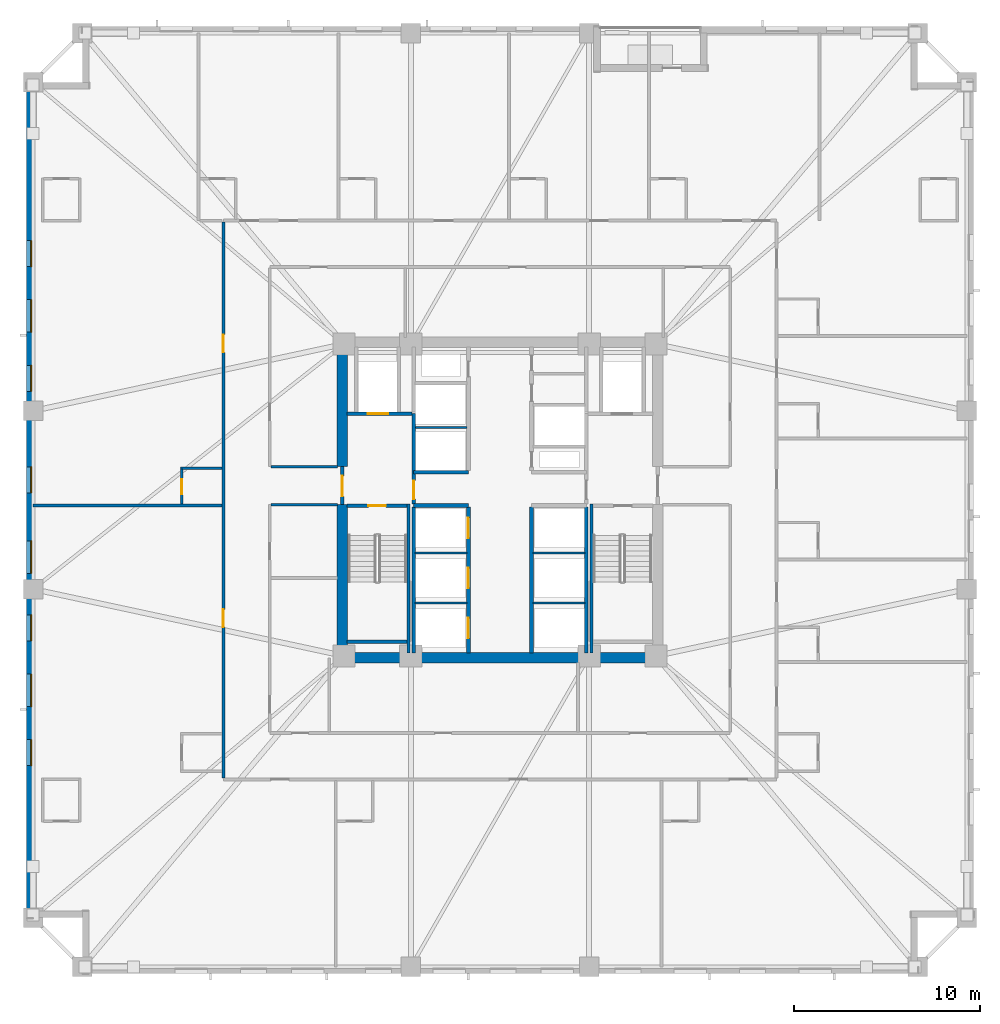
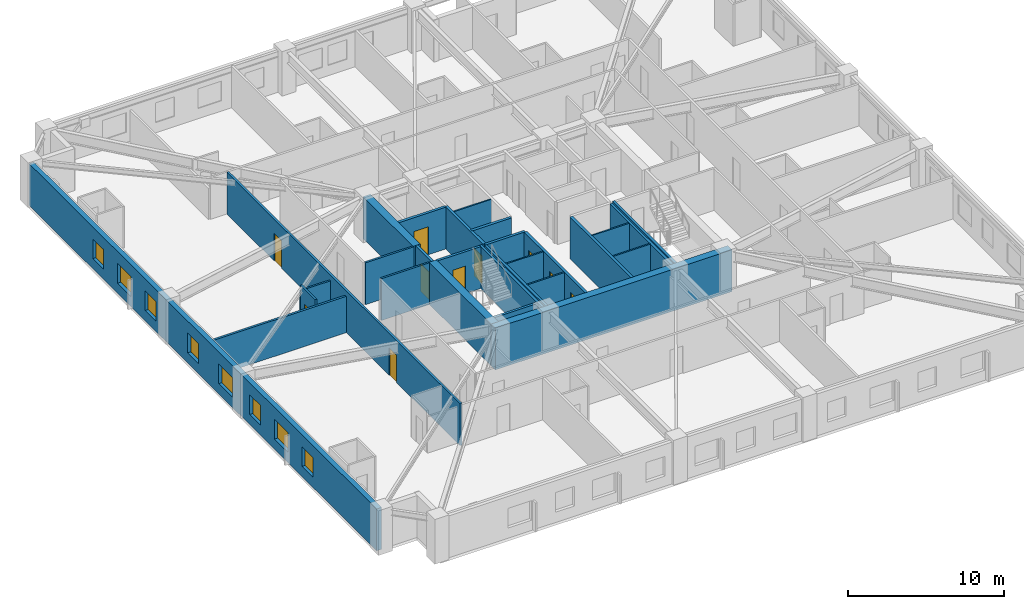
# One storey, part 3 of 11: 28 walls, 10 doors, 8 windows, 18 openings.
"""IFC4 building model written with IfcOpenShell, lengths in metres."""

from ifc_helpers import new_model, si_unit, direction, frame, frame_2d, origin, place, context, subcontext, project, spatial, rectangle, extrude, material, layer, layer_set, type_object, element, fill, save


model = new_model("IFC4")

# Units and contexts
model_context = context("Model", 3, precision=1e-05, world=origin(), true_north=direction((0.0, 1.0)))
body_context = subcontext(model_context, "Body", "Model", "MODEL_VIEW")
ifc_project = project(units=[si_unit("LENGTHUNIT", "METRE"), si_unit("AREAUNIT", "SQUARE_METRE"), si_unit("VOLUMEUNIT", "CUBIC_METRE"), si_unit("PLANEANGLEUNIT", "RADIAN"), si_unit("MASSUNIT", "GRAM", prefix="KILO")], contexts=[model_context])

# Site, building, storey
site_placement = place(None, origin())
site = spatial("IfcSite", under=ifc_project, at=site_placement, CompositionType="ELEMENT")
building_placement = place(site_placement, origin())
building = spatial("IfcBuilding", under=site, at=building_placement, Name="Cairnveth Concourse Tower", CompositionType="ELEMENT")
storey_placement = place(building_placement, frame((0.0, 0.0, 86.5)))
storey = spatial("IfcBuildingStorey", under=building, at=storey_placement, Name="L23", CompositionType="ELEMENT", Elevation=86.5)

# Wall, openings, doors
ifc_material_1 = material(Name="Gypsum Plasterboard Partition", Category="gypsum")
ifc_layer_1 = layer(ifc_material_1, 0.159912109375)
ifc_layer_set_1 = layer_set([ifc_layer_1], Name="Gypsum Plasterboard Partition")
wall_type_1 = type_object("IfcWallType", Name="ACOUSTIC PARTY WALL 180", PredefinedType="PARTITIONING", material=ifc_layer_set_1)
wall_1_placement = place(storey_placement, frame((37.10009765625, 24.014892578125, 0.0), z_axis=(0.0, 0.0, 1.0), x_axis=(0.0, 1.0, 0.0)))
wall_1 = element("IfcWall", 1, at=wall_1_placement, inside=storey, type_object=wall_type_1, Name="Interior Wall IW-L23-040", PredefinedType="PARTITIONING", context=body_context, shape_type="SweptSolid", body=[
    extrude(rectangle(XDim=29.97021484375, YDim=0.159912109375, at=frame_2d((14.985107421875, 0.0))), origin(), (0.0, 0.0, 1.0), 3.280029296875),
])
opening_1_placement = place(wall_1_placement, frame((8.1337890625, 0.0, 0.0)))
opening_1 = element("IfcOpeningElement", 2, at=opening_1_placement, cuts=wall_1, Name="Opening ID09", PredefinedType="OPENING", context=body_context, shape_type="SweptSolid", body=[
    extrude(rectangle(XDim=0.9599609375, YDim=2.14990234375, at=frame_2d((0.47998046875, 1.074951171875))), frame((0.0, 0.08984375, 0.0), z_axis=(0.0, -1.0, 0.0), x_axis=(1.0, 0.0, 0.0)), (0.0, 0.0, 1.0), 0.179931640625),
])
opening_2_placement = place(wall_1_placement, frame((22.933837890625, 0.0, 0.0)))
opening_2 = element("IfcOpeningElement", 3, at=opening_2_placement, cuts=wall_1, Name="Opening ID09", PredefinedType="OPENING", context=body_context, shape_type="SweptSolid", body=[
    extrude(rectangle(XDim=0.9599609375, YDim=2.14990234375, at=frame_2d((0.47998046875, 1.074951171875))), frame((0.0, 0.08984375, 0.0), z_axis=(0.0, -1.0, 0.0), x_axis=(1.0, 0.0, 0.0)), (0.0, 0.0, 1.0), 0.179931640625),
])
ifc_material_2 = material(Name="Solid Core Hardwood Timber Leaf", Category="wood")
door_type_1 = type_object("IfcDoorType", Name="HOTEL ENTRANCE DOOR 960X2150", OperationType="NOTDEFINED", PredefinedType="DOOR", material=ifc_material_2)
door_1_placement = place(opening_1_placement, origin())
door_1 = element("IfcDoor", 4, at=door_1_placement, inside=storey, type_object=door_type_1, Name="Hotel Room Door L23-W1", OperationType="SINGLE_SWING_RIGHT", OverallHeight=2.14990234375, OverallWidth=0.9599609375, PredefinedType="DOOR", context=body_context, shape_type="SweptSolid", body=[
    extrude(rectangle(XDim=0.9599609375, YDim=2.14990234375, at=frame_2d((0.47998046875, 1.074951171875))), frame((0.0, 0.02490234375, 0.0), z_axis=(0.0, -1.0, 0.0), x_axis=(1.0, 0.0, 0.0)), (0.0, 0.0, 1.0), 0.050048828125),
])
fill(opening_1, door_1)
door_2_placement = place(opening_2_placement, origin())
door_2 = element("IfcDoor", 5, at=door_2_placement, inside=storey, type_object=door_type_1, Name="Hotel Room Door L23-W2", OperationType="SINGLE_SWING_RIGHT", OverallHeight=2.14990234375, OverallWidth=0.9599609375, PredefinedType="DOOR", context=body_context, shape_type="SweptSolid", body=[
    extrude(rectangle(XDim=0.9599609375, YDim=2.14990234375, at=frame_2d((0.47998046875, 1.074951171875))), frame((0.0, 0.02490234375, 0.0), z_axis=(0.0, -1.0, 0.0), x_axis=(1.0, 0.0, 0.0)), (0.0, 0.0, 1.0), 0.050048828125),
])
fill(opening_2, door_2)

# Walls
wall_2_placement = place(storey_placement, frame((26.844970703125, 38.70751953125, 0.0), z_axis=(0.0, 0.0, 1.0), x_axis=(1.0, 0.0, 0.0)))
element("IfcWall", 6, at=wall_2_placement, inside=storey, type_object=wall_type_1, Name="Interior Wall IW-L23-092", PredefinedType="PARTITIONING", context=body_context, shape_type="SweptSolid", body=[
    extrude(rectangle(XDim=10.18994140625, YDim=0.159912109375, at=frame_2d((5.094970703125, 0.0))), origin(), (0.0, 0.0, 1.0), 2.84912109375),
])
ifc_material_3 = material(Name="Concrete N80 (80 MPa)", Category="concrete")
ifc_layer_2 = layer(ifc_material_3, 0.550048828125)
ifc_layer_set_2 = layer_set([ifc_layer_2], Name="Concrete N80 (80 MPa)")
wall_type_2 = type_object("IfcWallType", Name="CORE SHEAR WALL 550", PredefinedType="SHEAR", material=ifc_layer_set_2)
wall_3_placement = place(storey_placement, frame((43.22509765625, 30.5, 0.0), z_axis=(0.0, 0.0, 1.0), x_axis=(1.0, 0.0, 0.0)))
element("IfcWall", 7, at=wall_3_placement, inside=storey, type_object=wall_type_2, Name="Core South Shear Wall L23", PredefinedType="SHEAR", context=body_context, shape_type="SweptSolid", body=[
    extrude(rectangle(XDim=17.5498046875, YDim=0.550048828125, at=frame_2d((8.77490234375, 0.0))), origin(), (0.0, 0.0, 1.0), 3.280029296875),
])
wall_4_placement = place(storey_placement, frame((43.5, 30.764892578125, 0.0), z_axis=(0.0, 0.0, 1.0), x_axis=(0.0, 1.0, 0.0)))
element("IfcWall", 8, at=wall_4_placement, inside=storey, type_object=wall_type_2, Name="Core West Shear Wall S L23", PredefinedType="SHEAR", context=body_context, shape_type="SweptSolid", body=[
    extrude(rectangle(XDim=7.985107421875, YDim=0.550048828125, at=frame_2d((3.99267578125, 0.0))), origin(), (0.0, 0.0, 1.0), 3.280029296875),
])
wall_5_placement = place(storey_placement, frame((43.5, 40.800048828125, 0.0), z_axis=(0.0, 0.0, 1.0), x_axis=(0.0, 1.0, 0.0)))
element("IfcWall", 9, at=wall_5_placement, inside=storey, type_object=wall_type_2, Name="Core West Shear Wall N L23", PredefinedType="SHEAR", context=body_context, shape_type="SweptSolid", body=[
    extrude(rectangle(XDim=6.43505859375, YDim=0.550048828125, at=frame_2d((3.217529296875, 0.0))), origin(), (0.0, 0.0, 1.0), 3.280029296875),
])
ifc_material_4 = material(Name="Concrete N50 (50 MPa)", Category="concrete")
ifc_layer_3 = layer(ifc_material_4, 0.179931640625)
ifc_layer_set_3 = layer_set([ifc_layer_3], Name="Concrete N50 (50 MPa)")
wall_type_3 = type_object("IfcWallType", Name="FIRE SHAFT WALL 180", PredefinedType="SOLIDWALL", material=ifc_layer_set_3)
for number, where, z_axis, x_axis, name in (
    (10, (47.35009765625, 30.760009765625, 0.0), (0.0, 0.0, 1.0), (0.0, 1.0, 0.0), "Interior Wall IW-L23-025"),
    (11, (56.64990234375, 30.760009765625, 0.0), (0.0, 0.0, 1.0), (0.0, 1.0, 0.0), "Interior Wall IW-L23-028"),
):
    element("IfcWall", number, at=place(storey_placement, frame(where, z_axis=z_axis, x_axis=x_axis)), inside=storey, type_object=wall_type_3, Name=name, PredefinedType="SOLIDWALL", context=body_context, shape_type="SweptSolid", body=[
        extrude(rectangle(XDim=7.85498046875, YDim=0.179931640625, at=frame_2d((3.927490234375, 0.0))), origin(), (0.0, 0.0, 1.0), 3.280029296875),
    ])

# Wall, opening, door
wall_6_placement = place(storey_placement, frame((43.764892578125, 38.68994140625, 0.0), z_axis=(0.0, 0.0, 1.0), x_axis=(1.0, 0.0, 0.0)))
wall_6 = element("IfcWall", 12, at=wall_6_placement, inside=storey, type_object=wall_type_3, Name="Stair ST-1 Shaft Wall NEAR L23", PredefinedType="SOLIDWALL", context=body_context, shape_type="SweptSolid", body=[
    extrude(rectangle(XDim=3.230224609375, YDim=0.179931640625, at=frame_2d((1.615234375, 0.0))), origin(), (0.0, 0.0, 1.0), 3.280029296875),
])
opening_3_placement = place(wall_6_placement, frame((1.139892578125, 0.0, 0.0)))
opening_3 = element("IfcOpeningElement", 13, at=opening_3_placement, cuts=wall_6, Name="Opening ID12", PredefinedType="OPENING", context=body_context, shape_type="SweptSolid", body=[
    extrude(rectangle(XDim=0.949951171875, YDim=2.14990234375, at=frame_2d((0.47509765625, 1.074951171875))), frame((0.0, 0.099853515625, 0.0), z_axis=(0.0, -1.0, 0.0), x_axis=(1.0, 0.0, 0.0)), (0.0, 0.0, 1.0), 0.199951171875),
])
ifc_material_5 = material(Name="Steel Grade 350", Category="steel")
door_type_2 = type_object("IfcDoorType", Name="FIRE STAIR DOOR 950X2150", OperationType="NOTDEFINED", PredefinedType="DOOR", material=ifc_material_5)
door_3_placement = place(opening_3_placement, origin())
door_3 = element("IfcDoor", 14, at=door_3_placement, inside=storey, type_object=door_type_2, Name="Stair ST-1 Fire Door L23", OperationType="SINGLE_SWING_LEFT", OverallHeight=2.14990234375, OverallWidth=0.949951171875, PredefinedType="DOOR", context=body_context, shape_type="SweptSolid", body=[
    extrude(rectangle(XDim=0.949951171875, YDim=2.14990234375, at=frame_2d((0.47509765625, 1.074951171875))), frame((0.0, 0.02490234375, 0.0), z_axis=(0.0, -1.0, 0.0), x_axis=(1.0, 0.0, 0.0)), (0.0, 0.0, 1.0), 0.050048828125),
])
fill(opening_3, door_3)

# Walls
wall_7_placement = place(storey_placement, frame((43.764892578125, 31.360107421875, 0.0), z_axis=(0.0, 0.0, 1.0), x_axis=(1.0, 0.0, 0.0)))
element("IfcWall", 15, at=wall_7_placement, inside=storey, type_object=wall_type_3, Name="Stair ST-1 Shaft Wall FAR L23", PredefinedType="SOLIDWALL", context=body_context, shape_type="SweptSolid", body=[
    extrude(rectangle(XDim=3.230224609375, YDim=0.179931640625, at=frame_2d((1.615234375, 0.0))), origin(), (0.0, 0.0, 1.0), 3.280029296875),
])
for number, where, z_axis, x_axis, name in (
    (16, (47.070068359375, 38.780029296875, 0.0), (0.0, 0.0, 1.0), (0.0, -1.0, 0.0), "Stair ST-1 Shaft Wall RGHT L23"),
    (17, (56.929931640625, 38.780029296875, 0.0), (0.0, 0.0, 1.0), (0.0, -1.0, 0.0), "Stair ST-2 Shaft Wall LEFT L23"),
):
    element("IfcWall", number, at=place(storey_placement, frame(where, z_axis=z_axis, x_axis=x_axis)), inside=storey, type_object=wall_type_3, Name=name, PredefinedType="SOLIDWALL", context=body_context, shape_type="SweptSolid", body=[
        extrude(rectangle(XDim=8.01708984375, YDim=0.179931640625, at=frame_2d((4.008544921875, 0.0))), origin(), (0.0, 0.0, 1.0), 3.280029296875),
    ])
ifc_layer_4 = layer(ifc_material_4, 0.199951171875)
ifc_layer_set_4 = layer_set([ifc_layer_4], Name="Concrete N50 (50 MPa)")
wall_type_4 = type_object("IfcWallType", Name="FIRE SHAFT WALL 200", PredefinedType="SOLIDWALL", material=ifc_layer_set_4)
for number, where, z_axis, x_axis, name in (
    (18, (47.35009765625, 38.699951171875, 0.0), (0.0, 0.0, 1.0), (1.0, 0.0, 0.0), "Interior Wall IW-L23-007"),
    (19, (47.35009765625, 40.5, 0.0), (0.0, 0.0, 1.0), (1.0, 0.0, 0.0), "Interior Wall IW-L23-008"),
):
    element("IfcWall", number, at=place(storey_placement, frame(where, z_axis=z_axis, x_axis=x_axis)), inside=storey, type_object=wall_type_4, Name=name, PredefinedType="SOLIDWALL", context=body_context, shape_type="SweptSolid", body=[
        extrude(rectangle(XDim=2.949951171875, YDim=0.199951171875, at=frame_2d((1.47509765625, 0.0))), origin(), (0.0, 0.0, 1.0), 3.280029296875),
    ])

# Wall, openings, doors
wall_8_placement = place(storey_placement, frame((50.300048828125, 30.760009765625, 0.0), z_axis=(0.0, 0.0, 1.0), x_axis=(0.0, 1.0, 0.0)))
wall_8 = element("IfcWall", 20, at=wall_8_placement, inside=storey, type_object=wall_type_4, Name="Interior Wall IW-L23-011", PredefinedType="SOLIDWALL", context=body_context, shape_type="SweptSolid", body=[
    extrude(rectangle(XDim=7.85498046875, YDim=0.199951171875, at=frame_2d((3.927490234375, 0.0))), origin(), (0.0, 0.0, 1.0), 3.280029296875),
])
opening_4_placement = place(wall_8_placement, frame((0.7900390625, 0.0, 0.0)))
opening_4 = element("IfcOpeningElement", 21, at=opening_4_placement, cuts=wall_8, Name="Opening LD-1", PredefinedType="OPENING", context=body_context, shape_type="SweptSolid", body=[
    extrude(rectangle(XDim=1.10009765625, YDim=2.199951171875, at=frame_2d((0.550048828125, 1.10009765625))), frame((0.0, 0.10986328125, 0.0), z_axis=(0.0, -1.0, 0.0), x_axis=(1.0, 0.0, 0.0)), (0.0, 0.0, 1.0), 0.219970703125),
])
opening_5_placement = place(wall_8_placement, frame((3.489990234375, 0.0, 0.0)))
opening_5 = element("IfcOpeningElement", 22, at=opening_5_placement, cuts=wall_8, Name="Opening LD-1", PredefinedType="OPENING", context=body_context, shape_type="SweptSolid", body=[
    extrude(rectangle(XDim=1.10009765625, YDim=2.199951171875, at=frame_2d((0.550048828125, 1.10009765625))), frame((0.0, 0.10986328125, 0.0), z_axis=(0.0, -1.0, 0.0), x_axis=(1.0, 0.0, 0.0)), (0.0, 0.0, 1.0), 0.219970703125),
])
opening_6_placement = place(wall_8_placement, frame((6.18994140625, 0.0, 0.0)))
opening_6 = element("IfcOpeningElement", 23, at=opening_6_placement, cuts=wall_8, Name="Opening LD-1", PredefinedType="OPENING", context=body_context, shape_type="SweptSolid", body=[
    extrude(rectangle(XDim=1.10009765625, YDim=2.199951171875, at=frame_2d((0.550048828125, 1.10009765625))), frame((0.0, 0.10986328125, 0.0), z_axis=(0.0, -1.0, 0.0), x_axis=(1.0, 0.0, 0.0)), (0.0, 0.0, 1.0), 0.219970703125),
])
ifc_material_6 = material(Name="Architectural Bronze Anodised Aluminium 6063-T6", Category="aluminium")
door_type_3 = type_object("IfcDoorType", Name="LIFT LANDING DOOR 1100X2200", OperationType="SLIDING_TO_LEFT", PredefinedType="DOOR", material=ifc_material_6)
door_4_placement = place(opening_4_placement, origin())
door_4 = element("IfcDoor", 24, at=door_4_placement, inside=storey, type_object=door_type_3, Name="Lift PL1 Landing Door L23", OperationType="SLIDING_TO_LEFT", OverallHeight=2.199951171875, OverallWidth=1.10009765625, PredefinedType="DOOR", context=body_context, shape_type="SweptSolid", body=[
    extrude(rectangle(XDim=1.10009765625, YDim=2.199951171875, at=frame_2d((0.550048828125, 1.10009765625))), frame((0.0, 0.02490234375, 0.0), z_axis=(0.0, -1.0, 0.0), x_axis=(1.0, 0.0, 0.0)), (0.0, 0.0, 1.0), 0.050048828125),
])
fill(opening_4, door_4)
door_5_placement = place(opening_5_placement, origin())
door_5 = element("IfcDoor", 25, at=door_5_placement, inside=storey, type_object=door_type_3, Name="Lift PL2 Landing Door L23", OperationType="SLIDING_TO_LEFT", OverallHeight=2.199951171875, OverallWidth=1.10009765625, PredefinedType="DOOR", context=body_context, shape_type="SweptSolid", body=[
    extrude(rectangle(XDim=1.10009765625, YDim=2.199951171875, at=frame_2d((0.550048828125, 1.10009765625))), frame((0.0, 0.02490234375, 0.0), z_axis=(0.0, -1.0, 0.0), x_axis=(1.0, 0.0, 0.0)), (0.0, 0.0, 1.0), 0.050048828125),
])
fill(opening_5, door_5)
door_6_placement = place(opening_6_placement, origin())
door_6 = element("IfcDoor", 26, at=door_6_placement, inside=storey, type_object=door_type_3, Name="Lift PL3 Landing Door L23", OperationType="SLIDING_TO_LEFT", OverallHeight=2.199951171875, OverallWidth=1.10009765625, PredefinedType="DOOR", context=body_context, shape_type="SweptSolid", body=[
    extrude(rectangle(XDim=1.10009765625, YDim=2.199951171875, at=frame_2d((0.550048828125, 1.10009765625))), frame((0.0, 0.02490234375, 0.0), z_axis=(0.0, -1.0, 0.0), x_axis=(1.0, 0.0, 0.0)), (0.0, 0.0, 1.0), 0.050048828125),
])
fill(opening_6, door_6)

# Wall
wall_9_placement = place(storey_placement, frame((53.699951171875, 30.760009765625, 0.0), z_axis=(0.0, 0.0, 1.0), x_axis=(0.0, 1.0, 0.0)))
element("IfcWall", 27, at=wall_9_placement, inside=storey, type_object=wall_type_4, Name="Interior Wall IW-L23-012", PredefinedType="SOLIDWALL", context=body_context, shape_type="SweptSolid", body=[
    extrude(rectangle(XDim=7.85498046875, YDim=0.199951171875, at=frame_2d((3.927490234375, 0.0))), origin(), (0.0, 0.0, 1.0), 3.280029296875),
])

# Wall, opening, door
wall_10_placement = place(storey_placement, frame((43.5, 38.75, 0.0), z_axis=(0.0, 0.0, 1.0), x_axis=(0.0, 1.0, 0.0)))
wall_10 = element("IfcWall", 28, at=wall_10_placement, inside=storey, type_object=wall_type_4, Name="Interior Wall IW-L23-015", PredefinedType="SOLIDWALL", context=body_context, shape_type="SweptSolid", body=[
    extrude(rectangle(XDim=2.050048828125, YDim=0.199951171875, at=frame_2d((1.02490234375, 0.0))), origin(), (0.0, 0.0, 1.0), 3.280029296875),
])
opening_7_placement = place(wall_10_placement, frame((0.449951171875, 0.0, 0.0)))
opening_7 = element("IfcOpeningElement", 29, at=opening_7_placement, cuts=wall_10, Name="Opening ID06", PredefinedType="OPENING", context=body_context, shape_type="SweptSolid", body=[
    extrude(rectangle(XDim=1.10009765625, YDim=2.14990234375, at=frame_2d((0.550048828125, 1.074951171875))), frame((0.0, 0.10986328125, 0.0), z_axis=(0.0, -1.0, 0.0), x_axis=(1.0, 0.0, 0.0)), (0.0, 0.0, 1.0), 0.219970703125),
])
door_type_4 = type_object("IfcDoorType", Name="FIRE CORRIDOR DOOR 1100X2150", OperationType="NOTDEFINED", PredefinedType="DOOR", material=ifc_material_5)
door_7_placement = place(opening_7_placement, origin())
door_7 = element("IfcDoor", 30, at=door_7_placement, inside=storey, type_object=door_type_4, Name="West Wing to FF Lobby Door L23", OperationType="SINGLE_SWING_LEFT", OverallHeight=2.14990234375, OverallWidth=1.10009765625, PredefinedType="DOOR", context=body_context, shape_type="SweptSolid", body=[
    extrude(rectangle(XDim=1.10009765625, YDim=2.14990234375, at=frame_2d((0.550048828125, 1.074951171875))), frame((0.0, 0.02490234375, 0.0), z_axis=(0.0, -1.0, 0.0), x_axis=(1.0, 0.0, 0.0)), (0.0, 0.0, 1.0), 0.050048828125),
])
fill(opening_7, door_7)

wall_11_placement = place(storey_placement, frame((47.35009765625, 38.784912109375, 0.0), z_axis=(0.0, 0.0, 1.0), x_axis=(0.0, 1.0, 0.0)))
wall_11 = element("IfcWall", 31, at=wall_11_placement, inside=storey, type_object=wall_type_4, Name="Interior Wall IW-L23-016", PredefinedType="SOLIDWALL", context=body_context, shape_type="SweptSolid", body=[
    extrude(rectangle(XDim=4.864990234375, YDim=0.199951171875, at=frame_2d((2.4326171875, 0.0))), origin(), (0.0, 0.0, 1.0), 3.280029296875),
])
opening_8_placement = place(wall_11_placement, frame((0.264892578125, 0.0, 0.0)))
opening_8 = element("IfcOpeningElement", 32, at=opening_8_placement, cuts=wall_11, Name="Opening ID07", PredefinedType="OPENING", context=body_context, shape_type="SweptSolid", body=[
    extrude(rectangle(XDim=1.0, YDim=2.14990234375, at=frame_2d((0.5, 1.074951171875))), frame((0.0, 0.10986328125, 0.0), z_axis=(0.0, -1.0, 0.0), x_axis=(1.0, 0.0, 0.0)), (0.0, 0.0, 1.0), 0.219970703125),
])
door_type_5 = type_object("IfcDoorType", Name="FIRE CORRIDOR DOOR 1000X2150", OperationType="NOTDEFINED", PredefinedType="DOOR", material=ifc_material_5)
door_8_placement = place(opening_8_placement, origin())
door_8 = element("IfcDoor", 33, at=door_8_placement, inside=storey, type_object=door_type_5, Name="FF Lobby West to Lift Lobby Door L23", OperationType="SINGLE_SWING_RIGHT", OverallHeight=2.14990234375, OverallWidth=1.0, PredefinedType="DOOR", context=body_context, shape_type="SweptSolid", body=[
    extrude(rectangle(XDim=1.0, YDim=2.14990234375, at=frame_2d((0.5, 1.074951171875))), frame((0.0, 0.02490234375, 0.0), z_axis=(0.0, -1.0, 0.0), x_axis=(1.0, 0.0, 0.0)), (0.0, 0.0, 1.0), 0.050048828125),
])
fill(opening_8, door_8)

wall_12_placement = place(storey_placement, frame((43.760009765625, 43.64990234375, 0.0), z_axis=(0.0, 0.0, 1.0), x_axis=(1.0, 0.0, 0.0)))
wall_12 = element("IfcWall", 34, at=wall_12_placement, inside=storey, type_object=wall_type_4, Name="Interior Wall IW-L23-017", PredefinedType="SOLIDWALL", context=body_context, shape_type="SweptSolid", body=[
    extrude(rectangle(XDim=3.5048828125, YDim=0.199951171875, at=frame_2d((1.75244140625, 0.0))), origin(), (0.0, 0.0, 1.0), 3.280029296875),
])
opening_9_placement = place(wall_12_placement, frame((1.110107421875, 0.0, 0.0)))
opening_9 = element("IfcOpeningElement", 35, at=opening_9_placement, cuts=wall_12, Name="Opening LD-1", PredefinedType="OPENING", context=body_context, shape_type="SweptSolid", body=[
    extrude(rectangle(XDim=1.10009765625, YDim=2.199951171875, at=frame_2d((0.550048828125, 1.10009765625))), frame((0.0, 0.10986328125, 0.0), z_axis=(0.0, -1.0, 0.0), x_axis=(1.0, 0.0, 0.0)), (0.0, 0.0, 1.0), 0.219970703125),
])
door_9_placement = place(opening_9_placement, origin())
door_9 = element("IfcDoor", 36, at=door_9_placement, inside=storey, type_object=door_type_3, Name="Lift FFL1 Landing Door L23", OperationType="SLIDING_TO_LEFT", OverallHeight=2.199951171875, OverallWidth=1.10009765625, PredefinedType="DOOR", context=body_context, shape_type="SweptSolid", body=[
    extrude(rectangle(XDim=1.10009765625, YDim=2.199951171875, at=frame_2d((0.550048828125, 1.10009765625))), frame((0.0, 0.02490234375, 0.0), z_axis=(0.0, -1.0, 0.0), x_axis=(1.0, 0.0, 0.0)), (0.0, 0.0, 1.0), 0.050048828125),
])
fill(opening_9, door_9)

# Walls
ifc_layer_5 = layer(ifc_material_1, 0.139892578125)
ifc_layer_set_5 = layer_set([ifc_layer_5], Name="Gypsum Plasterboard Partition")
wall_type_5 = type_object("IfcWallType", Name="GYPSUM STUD PARTITION 140", PredefinedType="PARTITIONING", material=ifc_layer_set_5)
for number, where, z_axis, x_axis, name in (
    (37, (39.655029296875, 38.75, 0.0), (0.0, 0.0, 1.0), (1.0, 0.0, 0.0), "Interior Wall IW-L23-046"),
    (38, (39.655029296875, 40.800048828125, 0.0), (0.0, 0.0, 1.0), (1.0, 0.0, 0.0), "Interior Wall IW-L23-047"),
):
    element("IfcWall", number, at=place(storey_placement, frame(where, z_axis=z_axis, x_axis=x_axis)), inside=storey, type_object=wall_type_5, Name=name, PredefinedType="PARTITIONING", context=body_context, shape_type="SweptSolid", body=[
        extrude(rectangle(XDim=3.5849609375, YDim=0.139892578125, at=frame_2d((1.79248046875, 0.0))), origin(), (0.0, 0.0, 1.0), 3.280029296875),
    ])
ifc_layer_6 = layer(ifc_material_1, 0.110107421875)
ifc_layer_set_6 = layer_set([ifc_layer_6], Name="Gypsum Plasterboard Partition")
wall_type_6 = type_object("IfcWallType", Name="SHAFT DIVIDER WALL 140", PredefinedType="PARTITIONING", material=ifc_layer_set_6)
for number, where, z_axis, x_axis, name in (
    (39, (47.425048828125, 33.449951171875, 0.0), (0.0, 0.0, 1.0), (1.0, 0.0, 0.0), "Interior Wall IW-L23-026"),
    (40, (47.425048828125, 36.14990234375, 0.0), (0.0, 0.0, 1.0), (1.0, 0.0, 0.0), "Interior Wall IW-L23-027"),
    (41, (53.784912109375, 33.449951171875, 0.0), (0.0, 0.0, 1.0), (1.0, 0.0, 0.0), "Interior Wall IW-L23-029"),
    (42, (53.784912109375, 36.14990234375, 0.0), (0.0, 0.0, 1.0), (1.0, 0.0, 0.0), "Interior Wall IW-L23-030"),
):
    element("IfcWall", number, at=place(storey_placement, frame(where, z_axis=z_axis, x_axis=x_axis)), inside=storey, type_object=wall_type_6, Name=name, PredefinedType="PARTITIONING", context=body_context, shape_type="SweptSolid", body=[
        extrude(rectangle(XDim=2.7900390625, YDim=0.110107421875, at=frame_2d((1.39501953125, 0.0))), origin(), (0.0, 0.0, 1.0), 3.280029296875),
    ])
wall_13_placement = place(storey_placement, frame((47.43505859375, 42.89990234375, 0.0), z_axis=(0.0, 0.0, 1.0), x_axis=(1.0, 0.0, 0.0)))
element("IfcWall", 43, at=wall_13_placement, inside=storey, type_object=wall_type_6, Name="Interior Wall IW-L23-032", PredefinedType="PARTITIONING", context=body_context, shape_type="SweptSolid", body=[
    extrude(rectangle(XDim=2.780029296875, YDim=0.110107421875, at=frame_2d((1.39013671875, 0.0))), origin(), (0.0, 0.0, 1.0), 3.280029296875),
])
ifc_layer_7 = layer(ifc_material_1, 0.1298828125)
ifc_layer_set_7 = layer_set([ifc_layer_7], Name="Gypsum Plasterboard Partition")
wall_type_7 = type_object("IfcWallType", Name="WET AREA PARTITION 140", PredefinedType="PLUMBINGWALL", material=ifc_layer_set_7)
wall_14_placement = place(storey_placement, frame((34.800048828125, 40.70751953125, 0.0), z_axis=(0.0, 0.0, 1.0), x_axis=(1.0, 0.0, 0.0)))
element("IfcWall", 44, at=wall_14_placement, inside=storey, type_object=wall_type_7, Name="Interior Wall IW-L23-093", PredefinedType="PLUMBINGWALL", context=body_context, shape_type="SweptSolid", body=[
    extrude(rectangle(XDim=2.23486328125, YDim=0.1298828125, at=frame_2d((1.117431640625, 0.0))), origin(), (0.0, 0.0, 1.0), 2.84912109375),
])

# Wall, opening, door
wall_15_placement = place(storey_placement, frame((34.85009765625, 38.7724609375, 0.0), z_axis=(0.0, 0.0, 1.0), x_axis=(0.0, 1.0, 0.0)))
wall_15 = element("IfcWall", 45, at=wall_15_placement, inside=storey, type_object=wall_type_7, Name="Interior Wall IW-L23-094", PredefinedType="PLUMBINGWALL", context=body_context, shape_type="SweptSolid", body=[
    extrude(rectangle(XDim=1.885009765625, YDim=0.1298828125, at=frame_2d((0.9423828125, 0.0))), origin(), (0.0, 0.0, 1.0), 3.280029296875),
])
opening_10_placement = place(wall_15_placement, frame((0.52490234375, 0.0, 0.0)))
opening_10 = element("IfcOpeningElement", 46, at=opening_10_placement, cuts=wall_15, Name="Opening ID22", PredefinedType="OPENING", context=body_context, shape_type="SweptSolid", body=[
    extrude(rectangle(XDim=0.820068359375, YDim=2.10009765625, at=frame_2d((0.41015625, 1.050048828125))), frame((0.0, 0.074951171875, 0.0), z_axis=(0.0, -1.0, 0.0), x_axis=(1.0, 0.0, 0.0)), (0.0, 0.0, 1.0), 0.14990234375),
])
door_type_6 = type_object("IfcDoorType", Name="INTERIOR WC DOOR 820X2100", OperationType="NOTDEFINED", PredefinedType="DOOR", material=ifc_material_2)
door_10_placement = place(opening_10_placement, origin())
door_10 = element("IfcDoor", 47, at=door_10_placement, inside=storey, type_object=door_type_6, Name="En-Suite Door L23-W2", OperationType="SINGLE_SWING_LEFT", OverallHeight=2.10009765625, OverallWidth=0.820068359375, PredefinedType="DOOR", context=body_context, shape_type="SweptSolid", body=[
    extrude(rectangle(XDim=0.820068359375, YDim=2.10009765625, at=frame_2d((0.41015625, 1.050048828125))), frame((0.0, 0.02490234375, 0.0), z_axis=(0.0, -1.0, 0.0), x_axis=(1.0, 0.0, 0.0)), (0.0, 0.0, 1.0), 0.050048828125),
])
fill(opening_10, door_10)

# Wall, openings, windows
ifc_material_7 = material(Name="Hawthorn Red-Ochre Fired Clay Brick Masonry", Category="masonry")
ifc_layer_8 = layer(ifc_material_7, 0.360107421875)
ifc_layer_set_8 = layer_set([ifc_layer_8], Name="Hawthorn Red-Ochre Fired Clay Brick Masonry")
wall_type_8 = type_object("IfcWallType", Name="ZONE 1 BRICK PIER SPANDREL WALL 360", PredefinedType="SOLIDWALL", material=ifc_layer_set_8)
wall_16_placement = place(storey_placement, frame((26.679931640625, 16.5, 0.0), z_axis=(0.0, 0.0, 1.0), x_axis=(0.0, 1.0, 0.0)))
wall_16 = element("IfcWall", 48, at=wall_16_placement, inside=storey, type_object=wall_type_8, Name="Exterior Wall EW-L23-S09", PredefinedType="SOLIDWALL", context=body_context, shape_type="SweptSolid", body=[
    extrude(rectangle(XDim=44.662109375, YDim=0.360107421875, at=frame_2d((22.3310546875, 0.0))), origin(), (0.0, 0.0, 1.0), 3.280029296875),
])
opening_11_placement = place(wall_16_placement, frame((8.190185546875, 0.0, 0.800048828125)))
opening_11 = element("IfcOpeningElement", 49, at=opening_11_placement, cuts=wall_16, Name="Opening W05", PredefinedType="OPENING", context=body_context, shape_type="SweptSolid", body=[
    extrude(rectangle(XDim=1.39990234375, YDim=1.5439453125, at=frame_2d((0.699951171875, 0.77197265625))), frame((0.0, 0.18994140625, 0.0), z_axis=(0.0, -1.0, 0.0), x_axis=(1.0, 0.0, 0.0)), (0.0, 0.0, 1.0), 0.380126953125),
])
opening_12_placement = place(wall_16_placement, frame((11.37548828125, 0.0, 0.800048828125)))
opening_12 = element("IfcOpeningElement", 50, at=opening_12_placement, cuts=wall_16, Name="Opening W06", PredefinedType="OPENING", context=body_context, shape_type="SweptSolid", body=[
    extrude(rectangle(XDim=1.75, YDim=1.5439453125, at=frame_2d((0.875, 0.77197265625))), frame((0.0, 0.18994140625, 0.0), z_axis=(0.0, -1.0, 0.0), x_axis=(1.0, 0.0, 0.0)), (0.0, 0.0, 1.0), 0.380126953125),
])
opening_13_placement = place(wall_16_placement, frame((14.91064453125, 0.0, 0.800048828125)))
opening_13 = element("IfcOpeningElement", 51, at=opening_13_placement, cuts=wall_16, Name="Opening W05", PredefinedType="OPENING", context=body_context, shape_type="SweptSolid", body=[
    extrude(rectangle(XDim=1.39990234375, YDim=1.5439453125, at=frame_2d((0.699951171875, 0.77197265625))), frame((0.0, 0.18994140625, 0.0), z_axis=(0.0, -1.0, 0.0), x_axis=(1.0, 0.0, 0.0)), (0.0, 0.0, 1.0), 0.380126953125),
])
opening_14_placement = place(wall_16_placement, frame((18.5458984375, 0.0, 0.800048828125)))
opening_14 = element("IfcOpeningElement", 52, at=opening_14_placement, cuts=wall_16, Name="Opening W06", PredefinedType="OPENING", context=body_context, shape_type="SweptSolid", body=[
    extrude(rectangle(XDim=1.75, YDim=1.5439453125, at=frame_2d((0.875, 0.77197265625))), frame((0.0, 0.18994140625, 0.0), z_axis=(0.0, -1.0, 0.0), x_axis=(1.0, 0.0, 0.0)), (0.0, 0.0, 1.0), 0.380126953125),
])
opening_15_placement = place(wall_16_placement, frame((22.881103515625, 0.0, 0.800048828125)))
opening_15 = element("IfcOpeningElement", 53, at=opening_15_placement, cuts=wall_16, Name="Opening W05", PredefinedType="OPENING", context=body_context, shape_type="SweptSolid", body=[
    extrude(rectangle(XDim=1.39990234375, YDim=1.5439453125, at=frame_2d((0.699951171875, 0.77197265625))), frame((0.0, 0.18994140625, 0.0), z_axis=(0.0, -1.0, 0.0), x_axis=(1.0, 0.0, 0.0)), (0.0, 0.0, 1.0), 0.380126953125),
])
opening_16_placement = place(wall_16_placement, frame((28.351318359375, 0.0, 0.800048828125)))
opening_16 = element("IfcOpeningElement", 54, at=opening_16_placement, cuts=wall_16, Name="Opening W05", PredefinedType="OPENING", context=body_context, shape_type="SweptSolid", body=[
    extrude(rectangle(XDim=1.39990234375, YDim=1.5439453125, at=frame_2d((0.699951171875, 0.77197265625))), frame((0.0, 0.18994140625, 0.0), z_axis=(0.0, -1.0, 0.0), x_axis=(1.0, 0.0, 0.0)), (0.0, 0.0, 1.0), 0.380126953125),
])
opening_17_placement = place(wall_16_placement, frame((31.53662109375, 0.0, 0.800048828125)))
opening_17 = element("IfcOpeningElement", 55, at=opening_17_placement, cuts=wall_16, Name="Opening W06", PredefinedType="OPENING", context=body_context, shape_type="SweptSolid", body=[
    extrude(rectangle(XDim=1.75, YDim=1.5439453125, at=frame_2d((0.875, 0.77197265625))), frame((0.0, 0.18994140625, 0.0), z_axis=(0.0, -1.0, 0.0), x_axis=(1.0, 0.0, 0.0)), (0.0, 0.0, 1.0), 0.380126953125),
])
opening_18_placement = place(wall_16_placement, frame((35.07177734375, 0.0, 0.800048828125)))
opening_18 = element("IfcOpeningElement", 56, at=opening_18_placement, cuts=wall_16, Name="Opening W05", PredefinedType="OPENING", context=body_context, shape_type="SweptSolid", body=[
    extrude(rectangle(XDim=1.39990234375, YDim=1.5439453125, at=frame_2d((0.699951171875, 0.77197265625))), frame((0.0, 0.18994140625, 0.0), z_axis=(0.0, -1.0, 0.0), x_axis=(1.0, 0.0, 0.0)), (0.0, 0.0, 1.0), 0.380126953125),
])
ifc_material_8 = material(Name="Double Glazed Low-E Clear Glass", Category="glass")
window_type_1 = type_object("IfcWindowType", Name="DEEP-SET HOTEL CASEMENT WINDOW 1400X1750", PartitioningType="DOUBLE_PANEL_VERTICAL", PredefinedType="WINDOW", material=ifc_material_8)
window_1_placement = place(opening_11_placement, origin())
window_1 = element("IfcWindow", 57, at=window_1_placement, inside=storey, type_object=window_type_1, Name="Gothic Lancet Window L23-9-2", OverallHeight=1.5439453125, OverallWidth=1.39990234375, PartitioningType="SINGLE_PANEL", PredefinedType="WINDOW", context=body_context, shape_type="SweptSolid", body=[
    extrude(rectangle(XDim=1.39990234375, YDim=1.5439453125, at=frame_2d((0.699951171875, 0.77197265625))), frame((0.0, -0.050048828125, 0.0), z_axis=(0.0, -1.0, 0.0), x_axis=(1.0, 0.0, 0.0)), (0.0, 0.0, 1.0), 0.06005859375),
])
fill(opening_11, window_1)
window_2_placement = place(opening_13_placement, origin())
window_2 = element("IfcWindow", 58, at=window_2_placement, inside=storey, type_object=window_type_1, Name="Gothic Lancet Window L23-9-4", OverallHeight=1.5439453125, OverallWidth=1.39990234375, PartitioningType="SINGLE_PANEL", PredefinedType="WINDOW", context=body_context, shape_type="SweptSolid", body=[
    extrude(rectangle(XDim=1.39990234375, YDim=1.5439453125, at=frame_2d((0.699951171875, 0.77197265625))), frame((0.0, -0.050048828125, 0.0), z_axis=(0.0, -1.0, 0.0), x_axis=(1.0, 0.0, 0.0)), (0.0, 0.0, 1.0), 0.06005859375),
])
fill(opening_13, window_2)
window_3_placement = place(opening_15_placement, origin())
window_3 = element("IfcWindow", 59, at=window_3_placement, inside=storey, type_object=window_type_1, Name="Gothic Lancet Window L23-9-6", OverallHeight=1.5439453125, OverallWidth=1.39990234375, PartitioningType="SINGLE_PANEL", PredefinedType="WINDOW", context=body_context, shape_type="SweptSolid", body=[
    extrude(rectangle(XDim=1.39990234375, YDim=1.5439453125, at=frame_2d((0.699951171875, 0.77197265625))), frame((0.0, -0.050048828125, 0.0), z_axis=(0.0, -1.0, 0.0), x_axis=(1.0, 0.0, 0.0)), (0.0, 0.0, 1.0), 0.06005859375),
])
fill(opening_15, window_3)
window_4_placement = place(opening_16_placement, origin())
window_4 = element("IfcWindow", 60, at=window_4_placement, inside=storey, type_object=window_type_1, Name="Gothic Lancet Window L23-9-8", OverallHeight=1.5439453125, OverallWidth=1.39990234375, PartitioningType="SINGLE_PANEL", PredefinedType="WINDOW", context=body_context, shape_type="SweptSolid", body=[
    extrude(rectangle(XDim=1.39990234375, YDim=1.5439453125, at=frame_2d((0.699951171875, 0.77197265625))), frame((0.0, -0.050048828125, 0.0), z_axis=(0.0, -1.0, 0.0), x_axis=(1.0, 0.0, 0.0)), (0.0, 0.0, 1.0), 0.06005859375),
])
fill(opening_16, window_4)
window_5_placement = place(opening_18_placement, origin())
window_5 = element("IfcWindow", 61, at=window_5_placement, inside=storey, type_object=window_type_1, Name="Gothic Lancet Window L23-9-10", OverallHeight=1.5439453125, OverallWidth=1.39990234375, PartitioningType="SINGLE_PANEL", PredefinedType="WINDOW", context=body_context, shape_type="SweptSolid", body=[
    extrude(rectangle(XDim=1.39990234375, YDim=1.5439453125, at=frame_2d((0.699951171875, 0.77197265625))), frame((0.0, -0.050048828125, 0.0), z_axis=(0.0, -1.0, 0.0), x_axis=(1.0, 0.0, 0.0)), (0.0, 0.0, 1.0), 0.06005859375),
])
fill(opening_18, window_5)
window_type_2 = type_object("IfcWindowType", Name="DEEP-SET HOTEL SUITE WINDOW 1750X1800", PartitioningType="DOUBLE_PANEL_VERTICAL", PredefinedType="WINDOW", material=ifc_material_8)
window_6_placement = place(opening_12_placement, origin())
window_6 = element("IfcWindow", 62, at=window_6_placement, inside=storey, type_object=window_type_2, Name="Gothic Lancet Window L23-9-3", OverallHeight=1.5439453125, OverallWidth=1.75, PartitioningType="SINGLE_PANEL", PredefinedType="WINDOW", context=body_context, shape_type="SweptSolid", body=[
    extrude(rectangle(XDim=1.75, YDim=1.5439453125, at=frame_2d((0.875, 0.77197265625))), frame((0.0, -0.050048828125, 0.0), z_axis=(0.0, -1.0, 0.0), x_axis=(1.0, 0.0, 0.0)), (0.0, 0.0, 1.0), 0.06005859375),
])
fill(opening_12, window_6)
window_7_placement = place(opening_14_placement, origin())
window_7 = element("IfcWindow", 63, at=window_7_placement, inside=storey, type_object=window_type_2, Name="Gothic Lancet Window L23-9-5", OverallHeight=1.5439453125, OverallWidth=1.75, PartitioningType="SINGLE_PANEL", PredefinedType="WINDOW", context=body_context, shape_type="SweptSolid", body=[
    extrude(rectangle(XDim=1.75, YDim=1.5439453125, at=frame_2d((0.875, 0.77197265625))), frame((0.0, -0.050048828125, 0.0), z_axis=(0.0, -1.0, 0.0), x_axis=(1.0, 0.0, 0.0)), (0.0, 0.0, 1.0), 0.06005859375),
])
fill(opening_14, window_7)
window_8_placement = place(opening_17_placement, origin())
window_8 = element("IfcWindow", 64, at=window_8_placement, inside=storey, type_object=window_type_2, Name="Gothic Lancet Window L23-9-9", OverallHeight=1.5439453125, OverallWidth=1.75, PartitioningType="SINGLE_PANEL", PredefinedType="WINDOW", context=body_context, shape_type="SweptSolid", body=[
    extrude(rectangle(XDim=1.75, YDim=1.5439453125, at=frame_2d((0.875, 0.77197265625))), frame((0.0, -0.050048828125, 0.0), z_axis=(0.0, -1.0, 0.0), x_axis=(1.0, 0.0, 0.0)), (0.0, 0.0, 1.0), 0.06005859375),
])
fill(opening_17, window_8)

save(model, "model.ifc")
